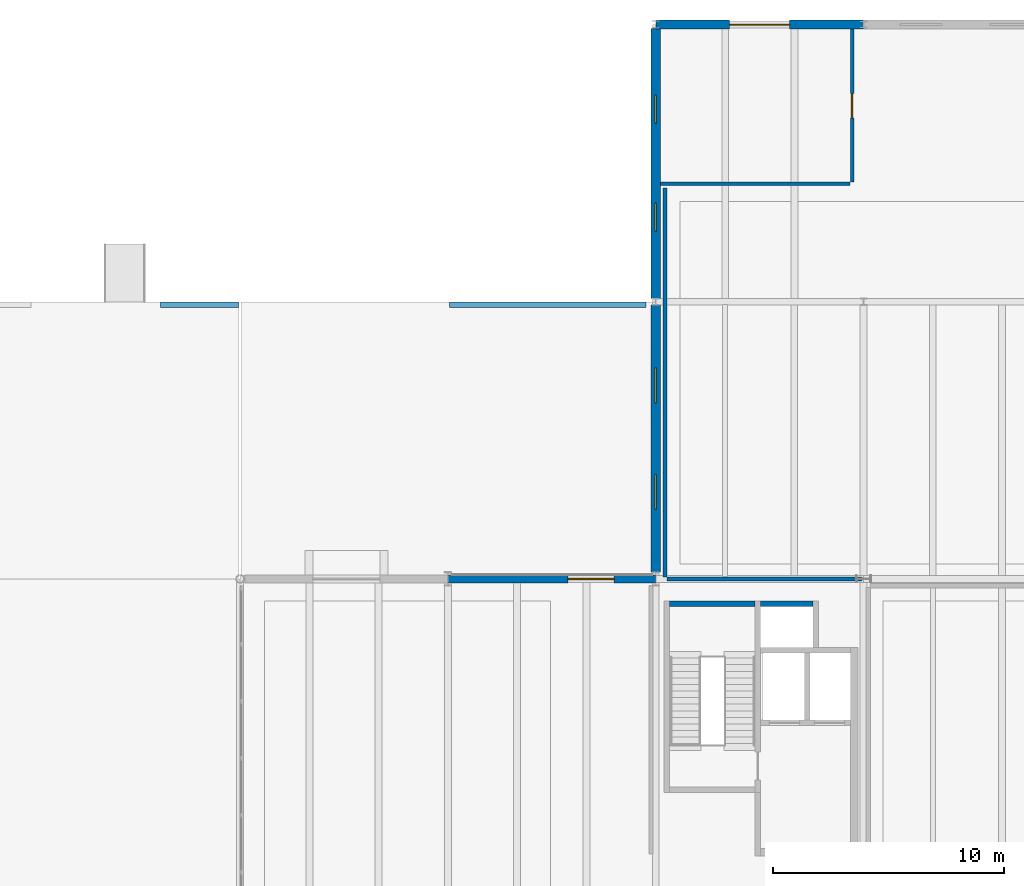
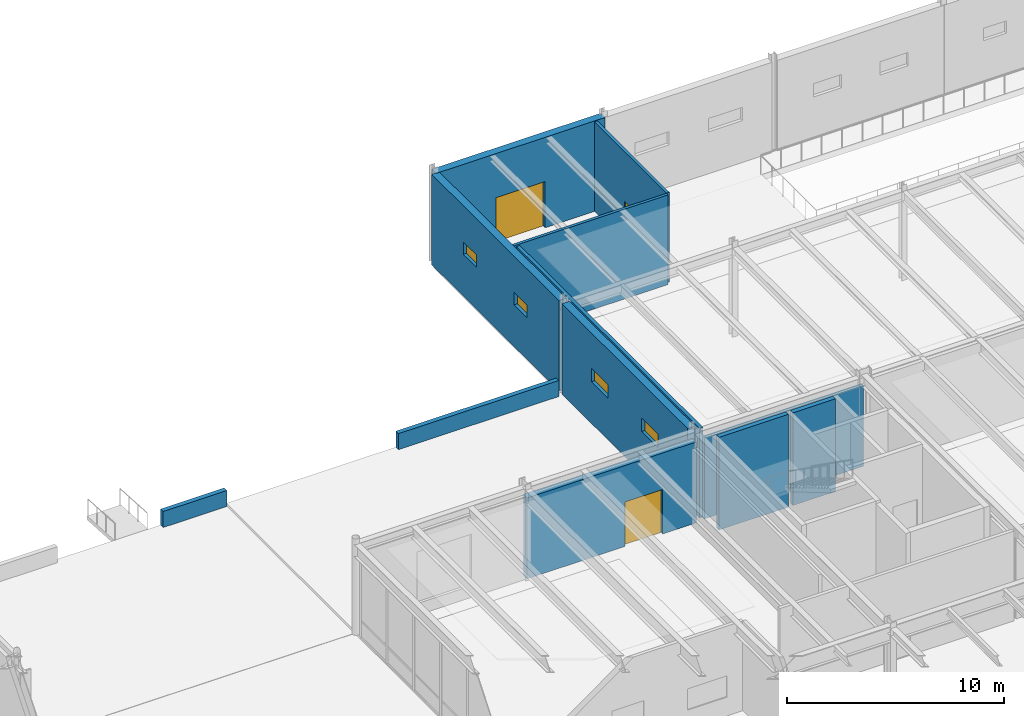
# One storey, part 127 of 143: 12 walls, 4 windows, 3 doors, 7 openings.
"""IFC4 building model written with IfcOpenShell, lengths in metres."""

from ifc_helpers import new_model, si_unit, direction, frame, frame_2d, origin, place, context, subcontext, project, spatial, rectangle, extrude, material, layer, layer_set, type_object, element, fill, save


model = new_model("IFC4")

# Units and contexts
model_context = context("Model", 3, precision=1e-05, world=origin(), true_north=direction((0.0, 1.0)))
body_context = subcontext(model_context, "Body", "Model", "MODEL_VIEW")
ifc_project = project(units=[si_unit("LENGTHUNIT", "METRE"), si_unit("AREAUNIT", "SQUARE_METRE"), si_unit("VOLUMEUNIT", "CUBIC_METRE"), si_unit("PLANEANGLEUNIT", "RADIAN"), si_unit("MASSUNIT", "GRAM", prefix="KILO")], contexts=[model_context])

# Site, building, storey
site_placement = place(None, origin())
site = spatial("IfcSite", under=ifc_project, at=site_placement, CompositionType="ELEMENT")
building_placement = place(site_placement, origin())
building = spatial("IfcBuilding", under=site, at=building_placement, Name="Montelvaro Courts of Justice", CompositionType="ELEMENT")
storey_placement = place(building_placement, origin())
storey = spatial("IfcBuildingStorey", under=building, at=storey_placement, Name="L00", CompositionType="ELEMENT", Elevation=0.0)

# Wall, opening, door
ifc_material_1 = material(Name="Gypsum board on metal stud")
ifc_layer_1 = layer(ifc_material_1, 0.14990234375)
ifc_layer_set_1 = layer_set([ifc_layer_1], Name="Gypsum board on metal stud")
wall_type_1 = type_object("IfcWallType", Name="ChambersPartition_150", PredefinedType="PARTITIONING", material=ifc_layer_set_1)
wall_1_placement = place(storey_placement, frame((125.5, 119.804931640625, 0.0), z_axis=(0.0, 0.0, 1.0), x_axis=(0.0, -1.0, 0.0)))
wall_1 = element("IfcWall", 1, at=wall_1_placement, inside=storey, type_object=wall_type_1, Name="Interior Partition IW-04 (L00)", PredefinedType="PARTITIONING", context=body_context, shape_type="SweptSolid", body=[
    extrude(rectangle(XDim=6.625, YDim=0.14990234375, at=frame_2d((3.3125, 0.0))), origin(), (0.0, 0.0, 1.0), 5.0400390625),
])
opening_1_placement = place(wall_1_placement, frame((2.7880859375, 0.0, 0.0)))
opening_1 = element("IfcOpeningElement", 2, at=opening_1_placement, cuts=wall_1, Name="Opening D-L00-056", PredefinedType="OPENING", context=body_context, shape_type="SweptSolid", body=[
    extrude(rectangle(XDim=1.050048828125, YDim=2.25, at=frame_2d((0.52490234375, 1.125))), frame((0.0, 0.08984375, 0.0), z_axis=(0.0, -1.0, 0.0), x_axis=(1.0, 0.0, 0.0)), (0.0, 0.0, 1.0), 0.1796875),
])
ifc_material_2 = material(Name="Acoustic oak timber veneer", Category="wood")
door_type_1 = type_object("IfcDoorType", Name="ChamberDoor_105x225", OperationType="NOTDEFINED", PredefinedType="DOOR", material=ifc_material_2)
door_1_placement = place(opening_1_placement, origin())
door_1 = element("IfcDoor", 3, at=door_1_placement, inside=storey, type_object=door_type_1, Name="Interior Door D-L00-056 (Judicial Security Escort Control Room)", OperationType="SINGLE_SWING_RIGHT", OverallHeight=2.25, OverallWidth=1.050048828125, PredefinedType="DOOR", context=body_context, shape_type="SweptSolid", body=[
    extrude(rectangle(XDim=1.050048828125, YDim=2.25, at=frame_2d((0.52490234375, 1.125))), frame((0.0, 0.02490234375, 0.0), z_axis=(0.0, -1.0, 0.0), x_axis=(1.0, 0.0, 0.0)), (0.0, 0.0, 1.0), 0.050048828125),
])
fill(opening_1, door_1)

# Walls
wall_2_placement = place(storey_placement, frame((125.419921875, 113.10009765625, 0.0), z_axis=(0.0, 0.0, 1.0), x_axis=(-1.0, 0.0, 0.0)))
element("IfcWall", 4, at=wall_2_placement, inside=storey, type_object=wall_type_1, Name="Interior Partition IW-04 (L00)", PredefinedType="PARTITIONING", context=body_context, shape_type="SweptSolid", body=[
    extrude(rectangle(XDim=8.224853515625, YDim=0.14990234375, at=frame_2d((4.1123046875, 0.0))), origin(), (0.0, 0.0, 1.0), 5.0400390625),
])
ifc_material_3 = material(Name="Fire-rated gypsum and steel stud", Category="steel")
ifc_layer_2 = layer(ifc_material_3, 0.179931640625)
ifc_layer_set_2 = layer_set([ifc_layer_2], Name="Fire-rated gypsum and steel stud")
wall_type_2 = type_object("IfcWallType", Name="CorridorFireWall_180", PredefinedType="PARTITIONING", material=ifc_layer_set_2)
wall_3_placement = place(storey_placement, frame((117.39990234375, 96.080078125, 0.0), z_axis=(0.0, 0.0, 1.0), x_axis=(0.0, 1.0, 0.0)))
element("IfcWall", 5, at=wall_3_placement, inside=storey, type_object=wall_type_2, Name="Interior Partition IW-02 (L00)", PredefinedType="PARTITIONING", context=body_context, shape_type="SweptSolid", body=[
    extrude(rectangle(XDim=16.83984375, YDim=0.179931640625, at=frame_2d((8.419921875, 0.0))), origin(), (0.0, 0.0, 1.0), 5.0400390625),
])
wall_4_placement = place(storey_placement, frame((125.919921875, 96.0, 0.0), z_axis=(0.0, 0.0, 1.0), x_axis=(-1.0, 0.0, 0.0)))
element("IfcWall", 6, at=wall_4_placement, inside=storey, type_object=wall_type_2, Name="Interior Partition IW-02 (L00)", PredefinedType="PARTITIONING", context=body_context, shape_type="SweptSolid", body=[
    extrude(rectangle(XDim=8.43994140625, YDim=0.179931640625, at=frame_2d((4.219970703125, 0.0))), origin(), (0.0, 0.0, 1.0), 4.544921875),
])

# Wall, opening, door
ifc_material_4 = material(Name="Concrete C40/50", Category="concrete")
ifc_layer_3 = layer(ifc_material_4, 0.39990234375)
ifc_layer_set_3 = layer_set([ifc_layer_3], Name="Concrete C40/50")
wall_type_3 = type_object("IfcWallType", Name="ExtWall_Custody_400", PredefinedType="SOLIDWALL", material=ifc_layer_set_3)
wall_5_placement = place(storey_placement, frame((125.991943359375, 120.0, 0.0), z_axis=(0.0, 0.0, 1.0), x_axis=(-1.0, 0.0, 0.0)))
wall_5 = element("IfcWall", 7, at=wall_5_placement, inside=storey, type_object=wall_type_3, Name="Exterior Facade Wall EW-04 (L00)", PredefinedType="SOLIDWALL", context=body_context, shape_type="SweptSolid", body=[
    extrude(rectangle(XDim=8.98388671875, YDim=0.39990234375, at=frame_2d((4.491943359375, 0.0))), origin(), (0.0, 0.0, 1.0), 5.080078125),
])
opening_2_placement = place(wall_5_placement, frame((3.19189453125, 0.0, 0.0)))
opening_2 = element("IfcOpeningElement", 8, at=opening_2_placement, cuts=wall_5, Name="Opening SG-02A", PredefinedType="OPENING", context=body_context, shape_type="SweptSolid", body=[
    extrude(rectangle(XDim=2.60009765625, YDim=2.60009765625, at=frame_2d((1.300048828125, 1.300048828125))), frame((0.0, 0.21484375, 0.0), z_axis=(0.0, -1.0, 0.0), x_axis=(1.0, 0.0, 0.0)), (0.0, 0.0, 1.0), 0.4296875),
])
ifc_material_5 = material(Name="Anodised aluminium and laminated safety glass", Category="aluminium")
door_type_2 = type_object("IfcDoorType", Name="SecGate_260x260", OperationType="DOUBLE_DOOR_SINGLE_SWING", PredefinedType="GATE", material=ifc_material_5)
door_2_placement = place(opening_2_placement, frame((2.60009765625, 0.0, 0.0), z_axis=(0.0, 0.0, 1.0), x_axis=(-1.0, 0.0, 0.0)))
door_2 = element("IfcDoor", 9, at=door_2_placement, inside=storey, type_object=door_type_2, Name="Perimeter Security Gate SG-02A", OperationType="DOUBLE_DOOR_SINGLE_SWING", OverallHeight=2.60009765625, OverallWidth=2.60009765625, PredefinedType="GATE", context=body_context, shape_type="SweptSolid", body=[
    extrude(rectangle(XDim=2.60009765625, YDim=2.60009765625, at=frame_2d((1.300048828125, 1.300048828125))), frame((0.0, 0.02490234375, 0.0), z_axis=(0.0, -1.0, 0.0), x_axis=(1.0, 0.0, 0.0)), (0.0, 0.0, 1.0), 0.050048828125),
])
fill(opening_2, door_2)

# Wall, openings, windows
wall_6_placement = place(storey_placement, frame((117.0, 119.842041015625, 0.0), z_axis=(0.0, 0.0, 1.0), x_axis=(0.0, -1.0, 0.0)))
wall_6 = element("IfcWall", 10, at=wall_6_placement, inside=storey, type_object=wall_type_3, Name="Exterior Facade Wall EW-04 (L00)", PredefinedType="SOLIDWALL", context=body_context, shape_type="SweptSolid", body=[
    extrude(rectangle(XDim=11.694091796875, YDim=0.39990234375, at=frame_2d((5.84716796875, 0.0))), origin(), (0.0, 0.0, 1.0), 5.080078125),
])
opening_3_placement = place(wall_6_placement, frame((2.907958984375, 0.0, 2.35009765625)))
opening_3 = element("IfcOpeningElement", 11, at=opening_3_placement, cuts=wall_6, Name="Opening WE-30", PredefinedType="OPENING", context=body_context, shape_type="SweptSolid", body=[
    extrude(rectangle(XDim=1.199951171875, YDim=0.699951171875, at=frame_2d((0.60009765625, 0.35009765625))), frame((0.0, 0.21484375, 0.0), z_axis=(0.0, -1.0, 0.0), x_axis=(1.0, 0.0, 0.0)), (0.0, 0.0, 1.0), 0.4296875),
])
opening_4_placement = place(wall_6_placement, frame((7.5859375, 0.0, 2.35009765625)))
opening_4 = element("IfcOpeningElement", 12, at=opening_4_placement, cuts=wall_6, Name="Opening WE-30", PredefinedType="OPENING", context=body_context, shape_type="SweptSolid", body=[
    extrude(rectangle(XDim=1.199951171875, YDim=0.699951171875, at=frame_2d((0.60009765625, 0.35009765625))), frame((0.0, 0.21484375, 0.0), z_axis=(0.0, -1.0, 0.0), x_axis=(1.0, 0.0, 0.0)), (0.0, 0.0, 1.0), 0.4296875),
])
ifc_material_6 = material(Name="Low-E solar control double glazing", Category="glass")
window_type_1 = type_object("IfcWindowType", Name="Win_Slot_120x070", PartitioningType="SINGLE_PANEL", PredefinedType="WINDOW", material=ifc_material_6)
window_1_placement = place(opening_3_placement, origin())
window_1 = element("IfcWindow", 13, at=window_1_placement, inside=storey, type_object=window_type_1, Name="Window W-L00-036", OverallHeight=0.699951171875, OverallWidth=1.199951171875, PartitioningType="SINGLE_PANEL", PredefinedType="WINDOW", context=body_context, shape_type="SweptSolid", body=[
    extrude(rectangle(XDim=1.199951171875, YDim=0.699951171875, at=frame_2d((0.60009765625, 0.35009765625))), frame((0.0, 0.030029296875, 0.0), z_axis=(0.0, -1.0, 0.0), x_axis=(1.0, 0.0, 0.0)), (0.0, 0.0, 1.0), 0.06005859375),
])
fill(opening_3, window_1)
window_2_placement = place(opening_4_placement, origin())
window_2 = element("IfcWindow", 14, at=window_2_placement, inside=storey, type_object=window_type_1, Name="Window W-L00-037", OverallHeight=0.699951171875, OverallWidth=1.199951171875, PartitioningType="SINGLE_PANEL", PredefinedType="WINDOW", context=body_context, shape_type="SweptSolid", body=[
    extrude(rectangle(XDim=1.199951171875, YDim=0.699951171875, at=frame_2d((0.60009765625, 0.35009765625))), frame((0.0, 0.030029296875, 0.0), z_axis=(0.0, -1.0, 0.0), x_axis=(1.0, 0.0, 0.0)), (0.0, 0.0, 1.0), 0.06005859375),
])
fill(opening_4, window_2)

wall_7_placement = place(storey_placement, frame((117.0, 107.85205078125, 0.0), z_axis=(0.0, 0.0, 1.0), x_axis=(0.0, -1.0, 0.0)))
wall_7 = element("IfcWall", 15, at=wall_7_placement, inside=storey, type_object=wall_type_3, Name="Exterior Facade Wall EW-04 (L00)", PredefinedType="SOLIDWALL", context=body_context, shape_type="SweptSolid", body=[
    extrude(rectangle(XDim=11.553955078125, YDim=0.39990234375, at=frame_2d((5.77685546875, 0.0))), origin(), (0.0, 0.0, 1.0), 5.080078125),
])
opening_5_placement = place(wall_7_placement, frame((2.716064453125, 0.0, 2.35009765625)))
opening_5 = element("IfcOpeningElement", 16, at=opening_5_placement, cuts=wall_7, Name="Opening WE-29", PredefinedType="OPENING", context=body_context, shape_type="SweptSolid", body=[
    extrude(rectangle(XDim=1.5, YDim=0.75, at=frame_2d((0.75, 0.375))), frame((0.0, 0.21484375, 0.0), z_axis=(0.0, -1.0, 0.0), x_axis=(1.0, 0.0, 0.0)), (0.0, 0.0, 1.0), 0.4296875),
])
opening_6_placement = place(wall_7_placement, frame((7.337890625, 0.0, 2.35009765625)))
opening_6 = element("IfcOpeningElement", 17, at=opening_6_placement, cuts=wall_7, Name="Opening WE-29", PredefinedType="OPENING", context=body_context, shape_type="SweptSolid", body=[
    extrude(rectangle(XDim=1.5, YDim=0.75, at=frame_2d((0.75, 0.375))), frame((0.0, 0.21484375, 0.0), z_axis=(0.0, -1.0, 0.0), x_axis=(1.0, 0.0, 0.0)), (0.0, 0.0, 1.0), 0.4296875),
])
window_type_2 = type_object("IfcWindowType", Name="Win_Slot_150x075", PartitioningType="SINGLE_PANEL", PredefinedType="WINDOW", material=ifc_material_6)
window_3_placement = place(opening_5_placement, origin())
window_3 = element("IfcWindow", 18, at=window_3_placement, inside=storey, type_object=window_type_2, Name="Window W-L00-038", OverallHeight=0.75, OverallWidth=1.5, PartitioningType="SINGLE_PANEL", PredefinedType="WINDOW", context=body_context, shape_type="SweptSolid", body=[
    extrude(rectangle(XDim=1.5, YDim=0.75, at=frame_2d((0.75, 0.375))), frame((0.0, 0.030029296875, 0.0), z_axis=(0.0, -1.0, 0.0), x_axis=(1.0, 0.0, 0.0)), (0.0, 0.0, 1.0), 0.06005859375),
])
fill(opening_5, window_3)
window_4_placement = place(opening_6_placement, origin())
window_4 = element("IfcWindow", 19, at=window_4_placement, inside=storey, type_object=window_type_2, Name="Window W-L00-039", OverallHeight=0.75, OverallWidth=1.5, PartitioningType="SINGLE_PANEL", PredefinedType="WINDOW", context=body_context, shape_type="SweptSolid", body=[
    extrude(rectangle(XDim=1.5, YDim=0.75, at=frame_2d((0.75, 0.375))), frame((0.0, 0.030029296875, 0.0), z_axis=(0.0, -1.0, 0.0), x_axis=(1.0, 0.0, 0.0)), (0.0, 0.0, 1.0), 0.06005859375),
])
fill(opening_6, window_4)

# Wall, opening, door
ifc_material_7 = material(Name="Precast concrete C45/55", Category="concrete")
ifc_layer_4 = layer(ifc_material_7, 0.35009765625)
ifc_layer_set_4 = layer_set([ifc_layer_4], Name="Precast concrete C45/55")
wall_type_4 = type_object("IfcWallType", Name="ExtWall_Limestone_350", PredefinedType="SOLIDWALL", material=ifc_layer_set_4)
wall_8_placement = place(storey_placement, frame((116.991943359375, 96.0, 0.0), z_axis=(0.0, 0.0, 1.0), x_axis=(-1.0, 0.0, 0.0)))
wall_8 = element("IfcWall", 20, at=wall_8_placement, inside=storey, type_object=wall_type_4, Name="Exterior Facade Wall EW-03 (L00)", PredefinedType="SOLIDWALL", context=body_context, shape_type="SweptSolid", body=[
    extrude(rectangle(XDim=8.98388671875, YDim=0.35009765625, at=frame_2d((4.491943359375, 0.0))), origin(), (0.0, 0.0, 1.0), 4.544921875),
])
opening_7_placement = place(wall_8_placement, frame((1.7919921875, 0.0, 0.0)))
opening_7 = element("IfcOpeningElement", 21, at=opening_7_placement, cuts=wall_8, Name="Opening ED-03", PredefinedType="OPENING", context=body_context, shape_type="SweptSolid", body=[
    extrude(rectangle(XDim=2.0, YDim=2.5, at=frame_2d((1.0, 1.25))), frame((0.0, 0.18994140625, 0.0), z_axis=(0.0, -1.0, 0.0), x_axis=(1.0, 0.0, 0.0)), (0.0, 0.0, 1.0), 0.3798828125),
])
ifc_material_8 = material(Name="Galvanised steel S355 fire door", Category="steel")
door_type_3 = type_object("IfcDoorType", Name="ExtDoor_Exit_200x250", OperationType="DOUBLE_DOOR_SINGLE_SWING", PredefinedType="DOOR", material=ifc_material_8)
door_3_placement = place(opening_7_placement, frame((2.0, 0.0, 0.0), z_axis=(0.0, 0.0, 1.0), x_axis=(-1.0, 0.0, 0.0)))
door_3 = element("IfcDoor", 22, at=door_3_placement, inside=storey, type_object=door_type_3, Name="Final Pedestrian Exit ED-03 Stair ST-K3", OperationType="DOUBLE_DOOR_SINGLE_SWING", OverallHeight=2.5, OverallWidth=2.0, PredefinedType="DOOR", context=body_context, shape_type="SweptSolid", body=[
    extrude(rectangle(XDim=2.0, YDim=2.5, at=frame_2d((1.0, 1.25))), frame((0.0, 0.02490234375, 0.0), z_axis=(0.0, -1.0, 0.0), x_axis=(1.0, 0.0, 0.0)), (0.0, 0.0, 1.0), 0.050048828125),
])
fill(opening_7, door_3)

# Walls
ifc_material_9 = material(Name="White mineral precast concrete C45/55", Category="concrete")
ifc_layer_5 = layer(ifc_material_9, 0.239990234375)
ifc_layer_set_5 = layer_set([ifc_layer_5], Name="White mineral precast concrete C45/55")
wall_type_5 = type_object("IfcWallType", Name="ParapetWall_240", PredefinedType="PARAPET", material=ifc_layer_set_5)
wall_9_placement = place(storey_placement, frame((95.56005859375, 107.8798828125, 0.0), z_axis=(0.0, 0.0, 1.0), x_axis=(1.0, 0.0, 0.0)))
element("IfcWall", 23, at=wall_9_placement, inside=storey, type_object=wall_type_5, Name="Roof Parapet PW-01 L00-058", PredefinedType="PARAPET", context=body_context, shape_type="SweptSolid", body=[
    extrude(rectangle(XDim=3.3798828125, YDim=0.239990234375, at=frame_2d((1.68994140625, 0.0))), origin(), (0.0, 0.0, 1.0), 0.89990234375),
])
wall_10_placement = place(storey_placement, frame((108.06005859375, 107.8798828125, 0.0), z_axis=(0.0, 0.0, 1.0), x_axis=(1.0, 0.0, 0.0)))
element("IfcWall", 24, at=wall_10_placement, inside=storey, type_object=wall_type_5, Name="Roof Parapet PW-01 L00-059", PredefinedType="PARAPET", context=body_context, shape_type="SweptSolid", body=[
    extrude(rectangle(XDim=8.52001953125, YDim=0.239990234375, at=frame_2d((4.260009765625, 0.0))), origin(), (0.0, 0.0, 1.0), 0.89990234375),
])
ifc_material_10 = material(Name="Concrete C35/45", Category="concrete")
ifc_layer_6 = layer(ifc_material_10, 0.239990234375)
ifc_layer_set_6 = layer_set([ifc_layer_6], Name="Concrete C35/45")
wall_type_6 = type_object("IfcWallType", Name="ShaftWall_240", PredefinedType="SHEAR", material=ifc_layer_set_6)
wall_11_placement = place(storey_placement, frame((117.60009765625, 94.919921875, 0.0), z_axis=(0.0, 0.0, 1.0), x_axis=(1.0, 0.0, 0.0)))
element("IfcWall", 25, at=wall_11_placement, inside=storey, type_object=wall_type_6, Name="Protected Stair Structural Wall ST-K3-N (L00)", PredefinedType="SHEAR", context=body_context, shape_type="SweptSolid", body=[
    extrude(rectangle(XDim=3.699951171875, YDim=0.239990234375, at=frame_2d((1.85009765625, 0.0))), origin(), (0.0, 0.0, 1.0), 5.2099609375),
])
wall_12_placement = place(storey_placement, frame((121.5400390625, 94.919921875, 0.0), z_axis=(0.0, 0.0, 1.0), x_axis=(1.0, 0.0, 0.0)))
element("IfcWall", 26, at=wall_12_placement, inside=storey, type_object=wall_type_6, Name="Service Riser North Shaft Wall K3 (L00)", PredefinedType="SHEAR", context=body_context, shape_type="SweptSolid", body=[
    extrude(rectangle(XDim=2.260009765625, YDim=0.239990234375, at=frame_2d((1.1298828125, 0.0))), origin(), (0.0, 0.0, 1.0), 5.2099609375),
])

save(model, "model.ifc")
